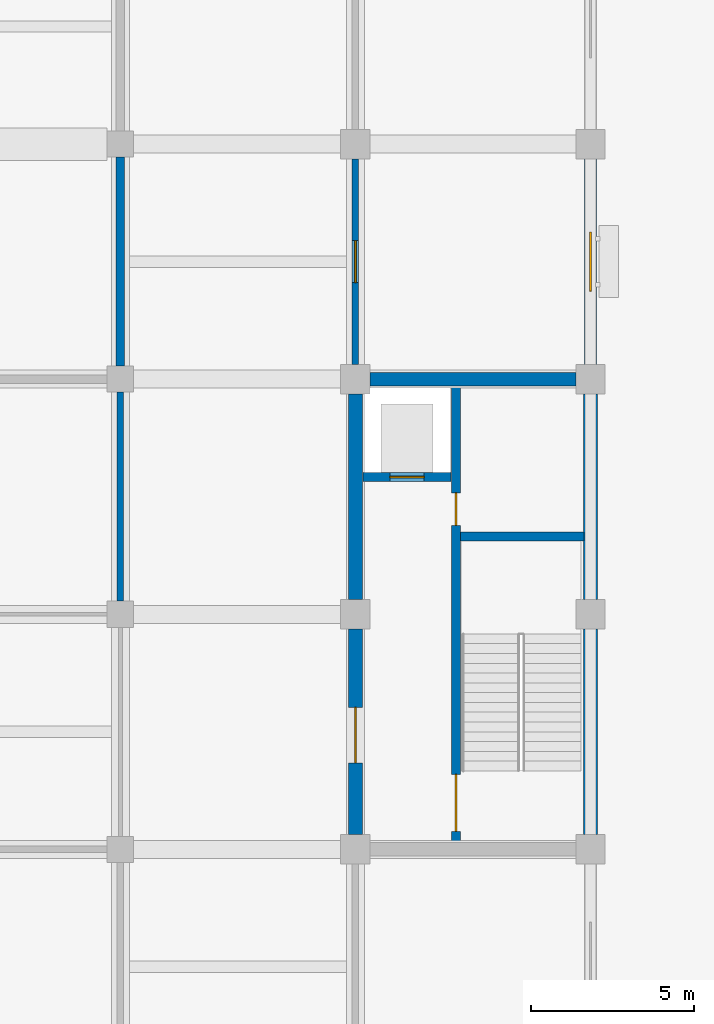
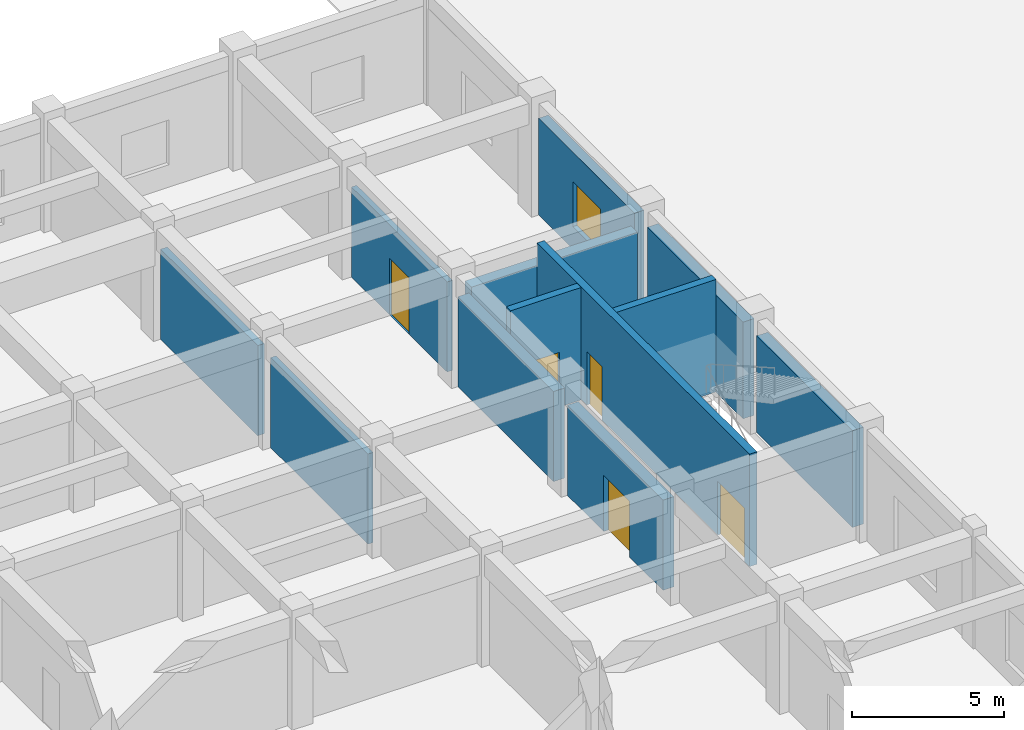
# One storey, part 14 of 37: 12 walls, 5 doors, 1 window, 6 openings.
"""IFC4 building model written with IfcOpenShell, lengths in metres."""

from ifc_helpers import new_model, si_unit, direction, frame, frame_2d, origin, place, context, subcontext, project, spatial, rectangle, extrude, material, layer, layer_set, type_object, element, fill, save


model = new_model("IFC4")

# Units and contexts
model_context = context("Model", 3, precision=1e-05, world=origin(), true_north=direction((0.0, 1.0)))
body_context = subcontext(model_context, "Body", "Model", "MODEL_VIEW")
ifc_project = project(units=[si_unit("LENGTHUNIT", "METRE"), si_unit("AREAUNIT", "SQUARE_METRE"), si_unit("VOLUMEUNIT", "CUBIC_METRE"), si_unit("PLANEANGLEUNIT", "RADIAN"), si_unit("MASSUNIT", "GRAM", prefix="KILO")], contexts=[model_context])

# Site, building, storey
site_placement = place(None, origin())
site = spatial("IfcSite", under=ifc_project, at=site_placement, CompositionType="ELEMENT")
building_placement = place(site_placement, origin())
building = spatial("IfcBuilding", under=site, at=building_placement, Name="Cendaluz Park School", CompositionType="ELEMENT")
storey_placement = place(building_placement, origin())
storey = spatial("IfcBuildingStorey", under=building, at=storey_placement, Name="L00", CompositionType="ELEMENT", Elevation=0.0)

# Wall
ifc_material_1 = material(Name="Gypsum Plasterboard on Cold-Formed Stud", Category="gypsum")
ifc_layer_1 = layer(ifc_material_1, 0.199951171875)
ifc_layer_set_1 = layer_set([ifc_layer_1], Name="Gypsum Plasterboard on Cold-Formed Stud")
wall_type_1 = type_object("IfcWallType", Name="W-AC20", PredefinedType="PARTITIONING", material=ifc_layer_set_1)
wall_1_placement = place(storey_placement, frame((93.60009765625, 50.800048828125, 0.0), z_axis=(0.0, 0.0, 1.0), x_axis=(0.0, 1.0, 0.0)))
element("IfcWall", 1, at=wall_1_placement, inside=storey, type_object=wall_type_1, Name="WL-FA-CL1", PredefinedType="PARTITIONING", context=body_context, shape_type="SweptSolid", body=[
    extrude(rectangle(XDim=6.39990234375, YDim=0.199951171875, at=frame_2d((3.199951171875, 0.0))), origin(), (0.0, 0.0, 1.0), 3.6201171875),
])

# Wall, opening, door
wall_2_placement = place(storey_placement, frame((100.800048828125, 58.050048828125, 0.0), z_axis=(0.0, 0.0, 1.0), x_axis=(0.0, 1.0, 0.0)))
wall_2 = element("IfcWall", 2, at=wall_2_placement, inside=storey, type_object=wall_type_1, Name="WL-FA-CL7", PredefinedType="PARTITIONING", context=body_context, shape_type="SweptSolid", body=[
    extrude(rectangle(XDim=6.300048828125, YDim=0.199951171875, at=frame_2d((3.14990234375, 0.0))), origin(), (0.0, 0.0, 1.0), 3.6201171875),
])
opening_1_placement = place(wall_2_placement, frame((2.510009765625, 0.0, 0.0)))
opening_1 = element("IfcOpeningElement", 3, at=opening_1_placement, cuts=wall_2, Name="Opening DCL-10", PredefinedType="OPENING", context=body_context, shape_type="SweptSolid", body=[
    extrude(rectangle(XDim=1.280029296875, YDim=2.280029296875, at=frame_2d((0.64013671875, 1.14013671875))), frame((0.0, 0.112060546875, 0.0), z_axis=(0.0, -1.0, 0.0), x_axis=(1.0, 0.0, 0.0)), (0.0, 0.0, 1.0), 0.223876953125),
])
ifc_material_2 = material(Name="Solid Core Hardwood", Category="wood")
door_type_1 = type_object("IfcDoorType", Name="DCL-10", OperationType="NOTDEFINED", PredefinedType="DOOR", material=ifc_material_2)
door_1_placement = place(opening_1_placement, frame((1.280029296875, 0.0, 0.0), z_axis=(0.0, 0.0, 1.0), x_axis=(-1.0, 0.0, 0.0)))
door_1 = element("IfcDoor", 4, at=door_1_placement, inside=storey, type_object=door_type_1, Name="D-L00-102", OperationType="SINGLE_SWING_RIGHT", OverallHeight=2.280029296875, OverallWidth=1.280029296875, PredefinedType="DOOR", context=body_context, shape_type="SweptSolid", body=[
    extrude(rectangle(XDim=1.280029296875, YDim=2.280029296875, at=frame_2d((0.64013671875, 1.14013671875))), frame((0.0, 0.02490234375, 0.0), z_axis=(0.0, -1.0, 0.0), x_axis=(1.0, 0.0, 0.0)), (0.0, 0.0, 1.0), 0.050048828125),
])
fill(opening_1, door_1)

# Wall
ifc_layer_2 = layer(ifc_material_1, 0.25)
ifc_layer_set_2 = layer_set([ifc_layer_2], Name="Gypsum Plasterboard on Cold-Formed Stud")
wall_type_2 = type_object("IfcWallType", Name="W-CP25", PredefinedType="PARTITIONING", material=ifc_layer_set_2)
wall_3_placement = place(storey_placement, frame((93.60009765625, 58.0, 0.0), z_axis=(0.0, 0.0, 1.0), x_axis=(0.0, 1.0, 0.0)))
element("IfcWall", 5, at=wall_3_placement, inside=storey, type_object=wall_type_2, Name="WL-FA-CE3", PredefinedType="PARTITIONING", context=body_context, shape_type="SweptSolid", body=[
    extrude(rectangle(XDim=6.39990234375, YDim=0.25, at=frame_2d((3.199951171875, 0.0))), origin(), (0.0, 0.0, 1.0), 3.6201171875),
])

# Wall, opening, window
ifc_material_3 = material(Name="Concrete C40/50 precast", Category="concrete")
ifc_layer_3 = layer(ifc_material_3, 0.360107421875)
ifc_layer_set_3 = layer_set([ifc_layer_3], Name="Concrete C40/50 precast")
wall_type_3 = type_object("IfcWallType", Name="W-EX36", PredefinedType="SOLIDWALL", material=ifc_layer_set_3)
wall_4_placement = place(storey_placement, frame((108.0, 58.050048828125, 0.0), z_axis=(0.0, 0.0, 1.0), x_axis=(0.0, 1.0, 0.0)))
wall_4 = element("IfcWall", 6, at=wall_4_placement, inside=storey, type_object=wall_type_3, Name="WL-FA-AH1", PredefinedType="SOLIDWALL", context=body_context, shape_type="SweptSolid", body=[
    extrude(rectangle(XDim=6.300048828125, YDim=0.360107421875, at=frame_2d((3.14990234375, 0.0))), origin(), (0.0, 0.0, 1.0), 3.889892578125),
])
opening_2_placement = place(wall_4_placement, frame((2.25, 0.0, 0.89990234375)))
opening_2 = element("IfcOpeningElement", 7, at=opening_2_placement, cuts=wall_4, Name="Opening WN-01", PredefinedType="OPENING", context=body_context, shape_type="SweptSolid", body=[
    extrude(rectangle(XDim=1.800048828125, YDim=1.800048828125, at=frame_2d((0.89990234375, 0.89990234375))), frame((0.0, 0.192138671875, 0.0), z_axis=(0.0, -1.0, 0.0), x_axis=(1.0, 0.0, 0.0)), (0.0, 0.0, 1.0), 0.384033203125),
])
ifc_material_4 = material(Name="Tempered Low-E Double Glazing", Category="glass")
window_type = type_object("IfcWindowType", Name="WN-01", PartitioningType="SINGLE_PANEL", PredefinedType="WINDOW", material=ifc_material_4)
window_placement = place(opening_2_placement, origin())
window = element("IfcWindow", 8, at=window_placement, inside=storey, type_object=window_type, Name="WN-L00-055", OverallHeight=1.800048828125, OverallWidth=1.800048828125, PartitioningType="SINGLE_PANEL", PredefinedType="WINDOW", context=body_context, shape_type="SweptSolid", body=[
    extrude(rectangle(XDim=1.800048828125, YDim=1.800048828125, at=frame_2d((0.89990234375, 0.89990234375))), frame((0.0, 0.030029296875, 0.0), z_axis=(0.0, -1.0, 0.0), x_axis=(1.0, 0.0, 0.0)), (0.0, 0.0, 1.0), 0.06005859375),
])
fill(opening_2, window)

# Wall, openings, doors
ifc_material_5 = material(Name="Concrete C40/50", Category="concrete")
ifc_layer_4 = layer(ifc_material_5, 0.280029296875)
ifc_layer_set_4 = layer_set([ifc_layer_4], Name="Concrete C40/50")
wall_type_4 = type_object("IfcWallType", Name="W-FW28", PredefinedType="SHEAR", material=ifc_layer_set_4)
wall_5_placement = place(storey_placement, frame((103.8798828125, 43.39990234375, 0.0), z_axis=(0.0, 0.0, 1.0), x_axis=(0.0, 1.0, 0.0)))
wall_5 = element("IfcWall", 9, at=wall_5_placement, inside=storey, type_object=wall_type_4, Name="WL-FA-BU1", PredefinedType="SHEAR", context=body_context, shape_type="SweptSolid", body=[
    extrude(rectangle(XDim=14.0, YDim=0.280029296875, at=frame_2d((7.0, 0.0))), origin(), (0.0, 0.0, 1.0), 4.52001953125),
])
opening_3_placement = place(wall_5_placement, frame((0.35009765625, 0.0, 0.0)))
opening_3 = element("IfcOpeningElement", 10, at=opening_3_placement, cuts=wall_5, Name="Opening DST-03", PredefinedType="OPENING", context=body_context, shape_type="SweptSolid", body=[
    extrude(rectangle(XDim=1.75, YDim=2.14990234375, at=frame_2d((0.875, 1.074951171875))), frame((0.0, 0.152099609375, 0.0), z_axis=(0.0, -1.0, 0.0), x_axis=(1.0, 0.0, 0.0)), (0.0, 0.0, 1.0), 0.303955078125),
])
opening_4_placement = place(wall_5_placement, frame((9.719970703125, 0.0, 0.0)))
opening_4 = element("IfcOpeningElement", 11, at=opening_4_placement, cuts=wall_5, Name="Opening DFC-01", PredefinedType="OPENING", context=body_context, shape_type="SweptSolid", body=[
    extrude(rectangle(XDim=1.0, YDim=2.14990234375, at=frame_2d((0.5, 1.074951171875))), frame((0.0, 0.152099609375, 0.0), z_axis=(0.0, -1.0, 0.0), x_axis=(1.0, 0.0, 0.0)), (0.0, 0.0, 1.0), 0.303955078125),
])
door_type_2 = type_object("IfcDoorType", Name="DFC-01", OperationType="NOTDEFINED", PredefinedType="DOOR", material=ifc_material_2)
door_2_placement = place(opening_4_placement, frame((1.0, 0.0, 0.0), z_axis=(0.0, 0.0, 1.0), x_axis=(-1.0, 0.0, 0.0)))
door_2 = element("IfcDoor", 12, at=door_2_placement, inside=storey, type_object=door_type_2, Name="D-L00-046", OperationType="SINGLE_SWING_RIGHT", OverallHeight=2.14990234375, OverallWidth=1.0, PredefinedType="DOOR", context=body_context, shape_type="SweptSolid", body=[
    extrude(rectangle(XDim=1.0, YDim=2.14990234375, at=frame_2d((0.5, 1.074951171875))), frame((0.0, 0.02490234375, 0.0), z_axis=(0.0, -1.0, 0.0), x_axis=(1.0, 0.0, 0.0)), (0.0, 0.0, 1.0), 0.050048828125),
])
fill(opening_4, door_2)
door_type_3 = type_object("IfcDoorType", Name="DST-03", OperationType="DOUBLE_DOOR_SINGLE_SWING", PredefinedType="DOOR", material=ifc_material_2)
door_3_placement = place(opening_3_placement, origin())
door_3 = element("IfcDoor", 13, at=door_3_placement, inside=storey, type_object=door_type_3, Name="D-L00-045", OperationType="DOUBLE_DOOR_SINGLE_SWING", OverallHeight=2.14990234375, OverallWidth=1.75, PredefinedType="DOOR", context=body_context, shape_type="SweptSolid", body=[
    extrude(rectangle(XDim=1.75, YDim=2.14990234375, at=frame_2d((0.875, 1.074951171875))), frame((0.0, 0.02490234375, 0.0), z_axis=(0.0, -1.0, 0.0), x_axis=(1.0, 0.0, 0.0)), (0.0, 0.0, 1.0), 0.050048828125),
])
fill(opening_3, door_3)

# Wall
wall_6_placement = place(storey_placement, frame((104.02001953125, 52.780029296875, 0.0), z_axis=(0.0, 0.0, 1.0), x_axis=(1.0, 0.0, 0.0)))
element("IfcWall", 14, at=wall_6_placement, inside=storey, type_object=wall_type_4, Name="WL-FA-BU2", PredefinedType="SHEAR", context=body_context, shape_type="SweptSolid", body=[
    extrude(rectangle(XDim=3.780029296875, YDim=0.280029296875, at=frame_2d((1.89013671875, 0.0))), origin(), (0.0, 0.0, 1.0), 4.52001953125),
])

# Wall, opening, door
wall_7_placement = place(storey_placement, frame((101.0400390625, 54.60009765625, 0.0), z_axis=(0.0, 0.0, 1.0), x_axis=(1.0, 0.0, 0.0)))
wall_7 = element("IfcWall", 15, at=wall_7_placement, inside=storey, type_object=wall_type_4, Name="WL-FA-BU3", PredefinedType="SHEAR", context=body_context, shape_type="SweptSolid", body=[
    extrude(rectangle(XDim=2.679931640625, YDim=0.280029296875, at=frame_2d((1.33984375, 0.0))), origin(), (0.0, 0.0, 1.0), 4.52001953125),
])
opening_5_placement = place(wall_7_placement, frame((0.81494140625, 0.0, 0.0)))
opening_5 = element("IfcOpeningElement", 16, at=opening_5_placement, cuts=wall_7, Name="Opening LD-02", PredefinedType="OPENING", context=body_context, shape_type="SweptSolid", body=[
    extrude(rectangle(XDim=1.050048828125, YDim=2.199951171875, at=frame_2d((0.52490234375, 1.10009765625))), frame((0.0, 0.152099609375, 0.0), z_axis=(0.0, -1.0, 0.0), x_axis=(1.0, 0.0, 0.0)), (0.0, 0.0, 1.0), 0.303955078125),
])
ifc_material_6 = material(Name="Stainless Steel 316L", Category="steel")
door_type_4 = type_object("IfcDoorType", Name="LD-02", OperationType="DOUBLE_DOOR_SLIDING", PredefinedType="DOOR", material=ifc_material_6)
door_4_placement = place(opening_5_placement, frame((1.050048828125, 0.0, 0.0), z_axis=(0.0, 0.0, 1.0), x_axis=(-1.0, 0.0, 0.0)))
door_4 = element("IfcDoor", 17, at=door_4_placement, inside=storey, type_object=door_type_4, Name="D-L00-047", OperationType="DOUBLE_DOOR_SLIDING", OverallHeight=2.199951171875, OverallWidth=1.050048828125, PredefinedType="DOOR", context=body_context, shape_type="SweptSolid", body=[
    extrude(rectangle(XDim=1.050048828125, YDim=2.199951171875, at=frame_2d((0.52490234375, 1.10009765625))), frame((0.0, 0.02490234375, 0.0), z_axis=(0.0, -1.0, 0.0), x_axis=(1.0, 0.0, 0.0)), (0.0, 0.0, 1.0), 0.050048828125),
])
fill(opening_5, door_4)

ifc_layer_5 = layer(ifc_material_5, 0.419921875)
ifc_layer_set_5 = layer_set([ifc_layer_5], Name="Concrete C40/50")
wall_type_5 = type_object("IfcWallType", Name="W-SH42", PredefinedType="SHEAR", material=ifc_layer_set_5)
wall_8_placement = place(storey_placement, frame((100.800048828125, 43.64990234375, 0.0), z_axis=(0.0, 0.0, 1.0), x_axis=(0.0, 1.0, 0.0)))
wall_8 = element("IfcWall", 18, at=wall_8_placement, inside=storey, type_object=wall_type_5, Name="WL-FA-BT5", PredefinedType="SHEAR", context=body_context, shape_type="SweptSolid", body=[
    extrude(rectangle(XDim=6.300048828125, YDim=0.419921875, at=frame_2d((3.14990234375, 0.0))), origin(), (0.0, 0.0, 1.0), 3.6201171875),
])
opening_6_placement = place(wall_8_placement, frame((2.199951171875, 0.0, 0.0)))
opening_6 = element("IfcOpeningElement", 19, at=opening_6_placement, cuts=wall_8, Name="Opening DLB-02", PredefinedType="OPENING", context=body_context, shape_type="SweptSolid", body=[
    extrude(rectangle(XDim=1.699951171875, YDim=2.25, at=frame_2d((0.85009765625, 1.125))), frame((0.0, 0.221923828125, 0.0), z_axis=(0.0, -1.0, 0.0), x_axis=(1.0, 0.0, 0.0)), (0.0, 0.0, 1.0), 0.44384765625),
])
door_type_5 = type_object("IfcDoorType", Name="DLB-02", OperationType="DOUBLE_DOOR_SINGLE_SWING", PredefinedType="DOOR", material=ifc_material_2)
door_5_placement = place(opening_6_placement, origin())
door_5 = element("IfcDoor", 20, at=door_5_placement, inside=storey, type_object=door_type_5, Name="D-L00-044", OperationType="DOUBLE_DOOR_SINGLE_SWING", OverallHeight=2.25, OverallWidth=1.699951171875, PredefinedType="DOOR", context=body_context, shape_type="SweptSolid", body=[
    extrude(rectangle(XDim=1.699951171875, YDim=2.25, at=frame_2d((0.85009765625, 1.125))), frame((0.0, 0.02490234375, 0.0), z_axis=(0.0, -1.0, 0.0), x_axis=(1.0, 0.0, 0.0)), (0.0, 0.0, 1.0), 0.050048828125),
])
fill(opening_6, door_5)

# Walls
wall_9_placement = place(storey_placement, frame((100.800048828125, 50.85009765625, 0.0), z_axis=(0.0, 0.0, 1.0), x_axis=(0.0, 1.0, 0.0)))
element("IfcWall", 21, at=wall_9_placement, inside=storey, type_object=wall_type_5, Name="WL-FA-BT6", PredefinedType="SHEAR", context=body_context, shape_type="SweptSolid", body=[
    extrude(rectangle(XDim=6.2998046875, YDim=0.419921875, at=frame_2d((3.14990234375, 0.0))), origin(), (0.0, 0.0, 1.0), 3.6201171875),
])
wall_10_placement = place(storey_placement, frame((108.0, 43.64990234375, 0.0), z_axis=(0.0, 0.0, 1.0), x_axis=(0.0, 1.0, 0.0)))
element("IfcWall", 22, at=wall_10_placement, inside=storey, type_object=wall_type_5, Name="WL-FA-BT7", PredefinedType="SHEAR", context=body_context, shape_type="SweptSolid", body=[
    extrude(rectangle(XDim=6.300048828125, YDim=0.419921875, at=frame_2d((3.14990234375, 0.0))), origin(), (0.0, 0.0, 1.0), 3.889892578125),
])
wall_11_placement = place(storey_placement, frame((108.0, 50.85009765625, 0.0), z_axis=(0.0, 0.0, 1.0), x_axis=(0.0, 1.0, 0.0)))
element("IfcWall", 23, at=wall_11_placement, inside=storey, type_object=wall_type_5, Name="WL-FA-BT8", PredefinedType="SHEAR", context=body_context, shape_type="SweptSolid", body=[
    extrude(rectangle(XDim=6.2998046875, YDim=0.419921875, at=frame_2d((3.14990234375, 0.0))), origin(), (0.0, 0.0, 1.0), 3.889892578125),
])
wall_12_placement = place(storey_placement, frame((101.25, 57.60009765625, 0.0), z_axis=(0.0, 0.0, 1.0), x_axis=(1.0, 0.0, 0.0)))
element("IfcWall", 24, at=wall_12_placement, inside=storey, type_object=wall_type_5, Name="WL-FA-BU0", PredefinedType="SHEAR", context=body_context, shape_type="SweptSolid", body=[
    extrude(rectangle(XDim=6.300048828125, YDim=0.419921875, at=frame_2d((3.14990234375, 0.0))), origin(), (0.0, 0.0, 1.0), 3.6201171875),
])

save(model, "model.ifc")
